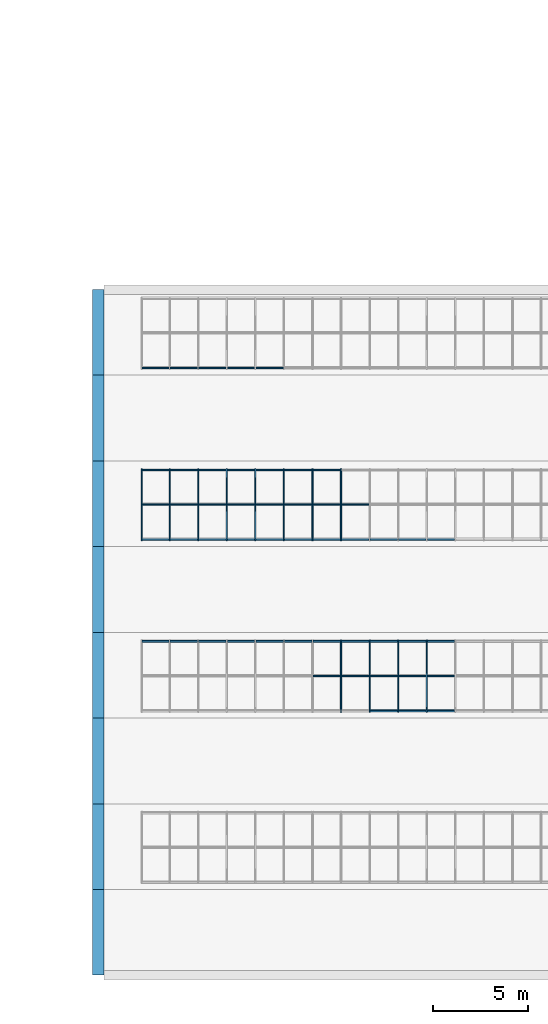
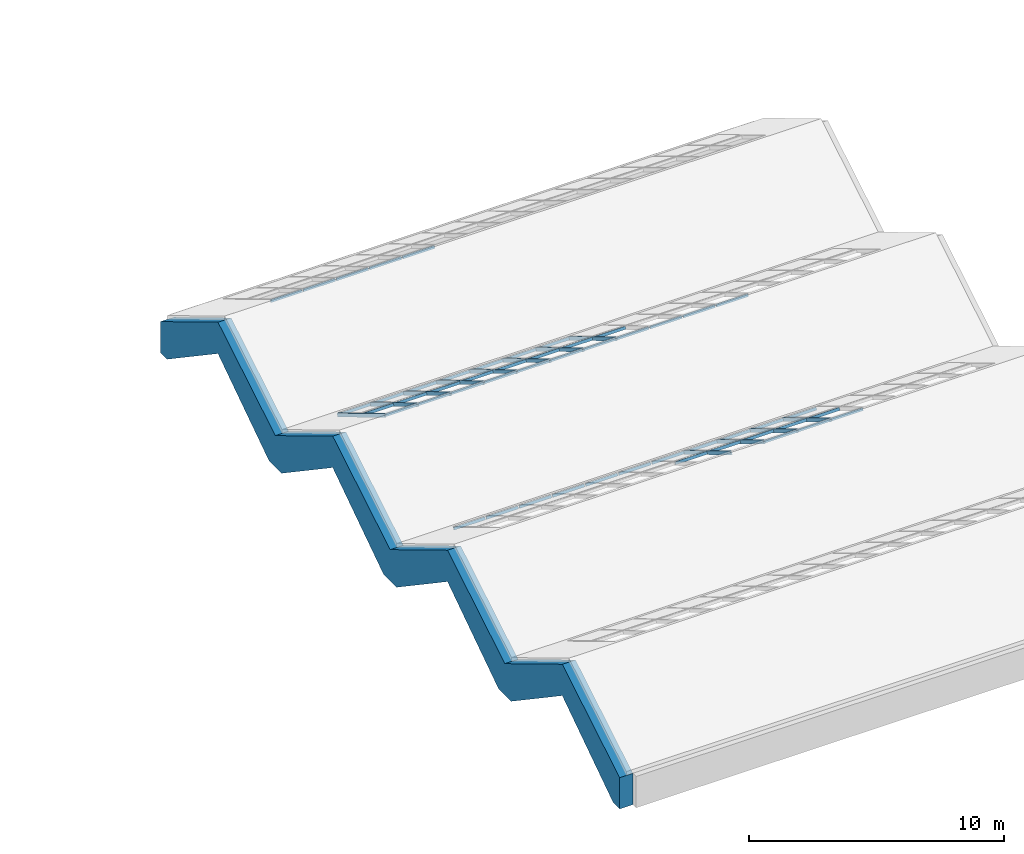
# One storey, part 3 of 29: 62 members, 1 beam, 3 elements without a shape of their own.
"""IFC4 building model written with IfcOpenShell, lengths in metres."""

from ifc_helpers import new_model, si_unit, direction, frame, origin, origin_2d, place, context, subcontext, project, spatial, polyline, rectangle, outline, extrude, material, material_profile, profile_set, type_object, element, aggregate, save


model = new_model("IFC4")

# Units and contexts
model_context = context("Model", 3, precision=1e-05, world=origin(), true_north=direction((0.0, 1.0)))
body_context = subcontext(model_context, "Body", "Model", "MODEL_VIEW")
ifc_project = project(units=[si_unit("LENGTHUNIT", "METRE"), si_unit("AREAUNIT", "SQUARE_METRE"), si_unit("VOLUMEUNIT", "CUBIC_METRE"), si_unit("PLANEANGLEUNIT", "RADIAN"), si_unit("MASSUNIT", "GRAM", prefix="KILO")], contexts=[model_context])

# Site, building, storey
site_placement = place(None, origin())
site = spatial("IfcSite", under=ifc_project, at=site_placement, CompositionType="ELEMENT")
building_placement = place(site_placement, origin())
building = spatial("IfcBuilding", under=site, at=building_placement, Name="Merrow Basin Faculty of Sciences", CompositionType="ELEMENT")
storey_placement = place(building_placement, frame((0.0, 0.0, 22.5)))
storey = spatial("IfcBuildingStorey", under=building, at=storey_placement, Name="L05", CompositionType="ELEMENT", Elevation=22.5)

# Curtain wall, members
ifc_material_1 = material(Name="Aluminium alloy 6063", Category="aluminium")
curtain_wall_type = type_object("IfcCurtainWallType", Name="Inclined curtain wall 160", PredefinedType="NOTDEFINED", material=ifc_material_1)
curtain_wall_1_placement = place(storey_placement, origin())
curtain_wall_1 = element("IfcCurtainWall", 1, at=curtain_wall_1_placement, inside=storey, type_object=curtain_wall_type, Name="North-light glazing 3", PredefinedType="NOTDEFINED")
ifc_material_2 = material(Name="Aluminium alloy 6063", Category="aluminium")
ifc_material_profile_1 = material_profile(ifc_material_2, rectangle(XDim=0.06005859375, YDim=0.159912109375, at=origin_2d()))
ifc_profile_set_1 = profile_set([ifc_material_profile_1], Name="Aluminium alloy 6063")
member_type_1 = type_object("IfcMemberType", Name="Aluminium slot mullion 60x160", PredefinedType="MULLION", material=ifc_profile_set_1)
member_1_placement = place(storey_placement, frame((57.75, 13.85888671875, 2.39111328125), z_axis=(0.0, 0.857482941352, -0.514512395662), x_axis=(-1.0, 0.0, 0.0)))
member_1 = element("IfcMember", 2, at=member_1_placement, type_object=member_type_1, Name="CW7 mullion 8", PredefinedType="MULLION", context=body_context, shape_type="SweptSolid", body=[
    extrude(rectangle(XDim=0.06005859375, YDim=0.159912109375, at=origin_2d()), origin(), (0.0, 0.0, 1.0), 4.315185546875),
])
member_2_placement = place(storey_placement, frame((59.25, 13.85888671875, 2.39111328125), z_axis=(0.0, 0.857482941352, -0.514512395662), x_axis=(-1.0, 0.0, 0.0)))
member_2 = element("IfcMember", 3, at=member_2_placement, type_object=member_type_1, Name="CW7 mullion 9", PredefinedType="MULLION", context=body_context, shape_type="SweptSolid", body=[
    extrude(rectangle(XDim=0.06005859375, YDim=0.159912109375, at=origin_2d()), origin(), (0.0, 0.0, 1.0), 4.315185546875),
])
member_3_placement = place(storey_placement, frame((60.75, 13.85888671875, 2.39111328125), z_axis=(0.0, 0.857482941352, -0.514512395662), x_axis=(-1.0, 0.0, 0.0)))
member_3 = element("IfcMember", 4, at=member_3_placement, type_object=member_type_1, Name="CW7 mullion 10", PredefinedType="MULLION", context=body_context, shape_type="SweptSolid", body=[
    extrude(rectangle(XDim=0.06005859375, YDim=0.159912109375, at=origin_2d()), origin(), (0.0, 0.0, 1.0), 4.315185546875),
])
member_4_placement = place(storey_placement, frame((62.25, 13.85888671875, 2.39111328125), z_axis=(0.0, 0.857482941352, -0.514512395662), x_axis=(-1.0, 0.0, 0.0)))
member_4 = element("IfcMember", 5, at=member_4_placement, type_object=member_type_1, Name="CW7 mullion 11", PredefinedType="MULLION", context=body_context, shape_type="SweptSolid", body=[
    extrude(rectangle(XDim=0.06005859375, YDim=0.159912109375, at=origin_2d()), origin(), (0.0, 0.0, 1.0), 4.315185546875),
])

curtain_wall_2_placement = place(storey_placement, origin())
curtain_wall_2 = element("IfcCurtainWall", 6, at=curtain_wall_2_placement, inside=storey, type_object=curtain_wall_type, Name="North-light glazing 5", PredefinedType="NOTDEFINED")
member_5_placement = place(storey_placement, frame((47.280029296875, 22.85888671875, 2.39111328125), z_axis=(0.0, 0.857482941352, -0.514512395662), x_axis=(-1.0, 0.0, 0.0)))
member_5 = element("IfcMember", 7, at=member_5_placement, type_object=member_type_1, Name="CW7 mullion 1", PredefinedType="MULLION", context=body_context, shape_type="SweptSolid", body=[
    extrude(rectangle(XDim=0.06005859375, YDim=0.159912109375, at=origin_2d()), origin(), (0.0, 0.0, 1.0), 4.315185546875),
])
member_6_placement = place(storey_placement, frame((48.75, 22.85888671875, 2.39111328125), z_axis=(0.0, 0.857482941352, -0.514512395662), x_axis=(-1.0, 0.0, 0.0)))
member_6 = element("IfcMember", 8, at=member_6_placement, type_object=member_type_1, Name="CW7 mullion 2", PredefinedType="MULLION", context=body_context, shape_type="SweptSolid", body=[
    extrude(rectangle(XDim=0.06005859375, YDim=0.159912109375, at=origin_2d()), origin(), (0.0, 0.0, 1.0), 4.315185546875),
])
member_7_placement = place(storey_placement, frame((50.25, 22.85888671875, 2.39111328125), z_axis=(0.0, 0.857482941352, -0.514512395662), x_axis=(-1.0, 0.0, 0.0)))
member_7 = element("IfcMember", 9, at=member_7_placement, type_object=member_type_1, Name="CW7 mullion 3", PredefinedType="MULLION", context=body_context, shape_type="SweptSolid", body=[
    extrude(rectangle(XDim=0.06005859375, YDim=0.159912109375, at=origin_2d()), origin(), (0.0, 0.0, 1.0), 4.315185546875),
])
member_8_placement = place(storey_placement, frame((51.75, 22.85888671875, 2.39111328125), z_axis=(0.0, 0.857482941352, -0.514512395662), x_axis=(-1.0, 0.0, 0.0)))
member_8 = element("IfcMember", 10, at=member_8_placement, type_object=member_type_1, Name="CW7 mullion 4", PredefinedType="MULLION", context=body_context, shape_type="SweptSolid", body=[
    extrude(rectangle(XDim=0.06005859375, YDim=0.159912109375, at=origin_2d()), origin(), (0.0, 0.0, 1.0), 4.315185546875),
])
member_9_placement = place(storey_placement, frame((53.25, 22.85888671875, 2.39111328125), z_axis=(0.0, 0.857482941352, -0.514512395662), x_axis=(-1.0, 0.0, 0.0)))
member_9 = element("IfcMember", 11, at=member_9_placement, type_object=member_type_1, Name="CW7 mullion 5", PredefinedType="MULLION", context=body_context, shape_type="SweptSolid", body=[
    extrude(rectangle(XDim=0.06005859375, YDim=0.159912109375, at=origin_2d()), origin(), (0.0, 0.0, 1.0), 4.315185546875),
])
member_10_placement = place(storey_placement, frame((54.75, 22.85888671875, 2.39111328125), z_axis=(0.0, 0.857482941352, -0.514512395662), x_axis=(-1.0, 0.0, 0.0)))
member_10 = element("IfcMember", 12, at=member_10_placement, type_object=member_type_1, Name="CW7 mullion 6", PredefinedType="MULLION", context=body_context, shape_type="SweptSolid", body=[
    extrude(rectangle(XDim=0.06005859375, YDim=0.159912109375, at=origin_2d()), origin(), (0.0, 0.0, 1.0), 4.315185546875),
])
member_11_placement = place(storey_placement, frame((56.25, 22.85888671875, 2.39111328125), z_axis=(0.0, 0.857482941352, -0.514512395662), x_axis=(-1.0, 0.0, 0.0)))
member_11 = element("IfcMember", 13, at=member_11_placement, type_object=member_type_1, Name="CW7 mullion 7", PredefinedType="MULLION", context=body_context, shape_type="SweptSolid", body=[
    extrude(rectangle(XDim=0.06005859375, YDim=0.159912109375, at=origin_2d()), origin(), (0.0, 0.0, 1.0), 4.315185546875),
])
member_12_placement = place(storey_placement, frame((57.75, 22.85888671875, 2.39111328125), z_axis=(0.0, 0.857482941352, -0.514512395662), x_axis=(-1.0, 0.0, 0.0)))
member_12 = element("IfcMember", 14, at=member_12_placement, type_object=member_type_1, Name="CW7 mullion 8", PredefinedType="MULLION", context=body_context, shape_type="SweptSolid", body=[
    extrude(rectangle(XDim=0.06005859375, YDim=0.159912109375, at=origin_2d()), origin(), (0.0, 0.0, 1.0), 4.315185546875),
])

# Member
ifc_material_3 = material(Name="Aluminium alloy 6063", Category="aluminium")
ifc_material_profile_2 = material_profile(ifc_material_3, rectangle(XDim=0.06005859375, YDim=0.1201171875, at=origin_2d()))
ifc_profile_set_2 = profile_set([ifc_material_profile_2], Name="Aluminium alloy 6063")
member_type_2 = type_object("IfcMemberType", Name="Aluminium slot transom 60x120", PredefinedType="USERDEFINED", material=ifc_profile_set_2)
member_13_placement = place(storey_placement, frame((47.31005859375, 17.532958984375, 0.18701171875), z_axis=(1.0, 0.0, 0.0), x_axis=(0.0, 0.857492925713, -0.514495755426)))
member_13 = element("IfcMember", 15, at=member_13_placement, type_object=member_type_2, Name="CW7 transom 1.3", ObjectType="TRANSOM", PredefinedType="USERDEFINED", context=body_context, shape_type="SweptSolid", body=[
    extrude(rectangle(XDim=0.06005859375, YDim=0.1201171875, at=origin_2d()), origin(), (0.0, 0.0, 1.0), 1.409912109375),
])

member_14_placement = place(storey_placement, frame((48.780029296875, 17.532958984375, 0.18701171875), z_axis=(1.0, 0.0, 0.0), x_axis=(0.0, 0.857492925713, -0.514495755426)))
member_14 = element("IfcMember", 16, at=member_14_placement, type_object=member_type_2, Name="CW7 transom 2.3", ObjectType="TRANSOM", PredefinedType="USERDEFINED", context=body_context, shape_type="SweptSolid", body=[
    extrude(rectangle(XDim=0.06005859375, YDim=0.1201171875, at=origin_2d()), origin(), (0.0, 0.0, 1.0), 1.43994140625),
])

member_15_placement = place(storey_placement, frame((50.280029296875, 17.532958984375, 0.18701171875), z_axis=(1.0, 0.0, 0.0), x_axis=(0.0, 0.857492925713, -0.514495755426)))
member_15 = element("IfcMember", 17, at=member_15_placement, type_object=member_type_2, Name="CW7 transom 3.3", ObjectType="TRANSOM", PredefinedType="USERDEFINED", context=body_context, shape_type="SweptSolid", body=[
    extrude(rectangle(XDim=0.06005859375, YDim=0.1201171875, at=origin_2d()), origin(), (0.0, 0.0, 1.0), 1.43994140625),
])

member_16_placement = place(storey_placement, frame((51.780029296875, 17.532958984375, 0.18701171875), z_axis=(1.0, 0.0, 0.0), x_axis=(0.0, 0.857492925713, -0.514495755426)))
member_16 = element("IfcMember", 18, at=member_16_placement, type_object=member_type_2, Name="CW7 transom 4.3", ObjectType="TRANSOM", PredefinedType="USERDEFINED", context=body_context, shape_type="SweptSolid", body=[
    extrude(rectangle(XDim=0.06005859375, YDim=0.1201171875, at=origin_2d()), origin(), (0.0, 0.0, 1.0), 1.43994140625),
])

member_17_placement = place(storey_placement, frame((53.280029296875, 17.532958984375, 0.18701171875), z_axis=(1.0, 0.0, 0.0), x_axis=(0.0, 0.857492925713, -0.514495755426)))
member_17 = element("IfcMember", 19, at=member_17_placement, type_object=member_type_2, Name="CW7 transom 5.3", ObjectType="TRANSOM", PredefinedType="USERDEFINED", context=body_context, shape_type="SweptSolid", body=[
    extrude(rectangle(XDim=0.06005859375, YDim=0.1201171875, at=origin_2d()), origin(), (0.0, 0.0, 1.0), 1.43994140625),
])

member_18_placement = place(storey_placement, frame((54.780029296875, 17.532958984375, 0.18701171875), z_axis=(1.0, 0.0, 0.0), x_axis=(0.0, 0.857492925713, -0.514495755426)))
member_18 = element("IfcMember", 20, at=member_18_placement, type_object=member_type_2, Name="CW7 transom 6.3", ObjectType="TRANSOM", PredefinedType="USERDEFINED", context=body_context, shape_type="SweptSolid", body=[
    extrude(rectangle(XDim=0.06005859375, YDim=0.1201171875, at=origin_2d()), origin(), (0.0, 0.0, 1.0), 1.43994140625),
])

member_19_placement = place(storey_placement, frame((56.280029296875, 15.708984375, 1.281005859375), z_axis=(1.0, 0.0, 0.0), x_axis=(0.0, 0.857492925713, -0.514495755426)))
member_19 = element("IfcMember", 21, at=member_19_placement, type_object=member_type_2, Name="CW7 transom 7.2", ObjectType="TRANSOM", PredefinedType="USERDEFINED", context=body_context, shape_type="SweptSolid", body=[
    extrude(rectangle(XDim=0.06005859375, YDim=0.1201171875, at=origin_2d()), origin(), (0.0, 0.0, 1.0), 1.43994140625),
])

member_20_placement = place(storey_placement, frame((56.280029296875, 17.532958984375, 0.18701171875), z_axis=(1.0, 0.0, 0.0), x_axis=(0.0, 0.857492925713, -0.514495755426)))
member_20 = element("IfcMember", 22, at=member_20_placement, type_object=member_type_2, Name="CW7 transom 7.3", ObjectType="TRANSOM", PredefinedType="USERDEFINED", context=body_context, shape_type="SweptSolid", body=[
    extrude(rectangle(XDim=0.06005859375, YDim=0.1201171875, at=origin_2d()), origin(), (0.0, 0.0, 1.0), 1.43994140625),
])

member_21_placement = place(storey_placement, frame((57.780029296875, 15.708984375, 1.281005859375), z_axis=(1.0, 0.0, 0.0), x_axis=(0.0, 0.857492925713, -0.514495755426)))
member_21 = element("IfcMember", 23, at=member_21_placement, type_object=member_type_2, Name="CW7 transom 8.2", ObjectType="TRANSOM", PredefinedType="USERDEFINED", context=body_context, shape_type="SweptSolid", body=[
    extrude(rectangle(XDim=0.06005859375, YDim=0.1201171875, at=origin_2d()), origin(), (0.0, 0.0, 1.0), 1.43994140625),
])

member_22_placement = place(storey_placement, frame((57.780029296875, 17.532958984375, 0.18701171875), z_axis=(1.0, 0.0, 0.0), x_axis=(0.0, 0.857492925713, -0.514495755426)))
member_22 = element("IfcMember", 24, at=member_22_placement, type_object=member_type_2, Name="CW7 transom 8.3", ObjectType="TRANSOM", PredefinedType="USERDEFINED", context=body_context, shape_type="SweptSolid", body=[
    extrude(rectangle(XDim=0.06005859375, YDim=0.1201171875, at=origin_2d()), origin(), (0.0, 0.0, 1.0), 1.43994140625),
])

member_23_placement = place(storey_placement, frame((59.280029296875, 13.885009765625, 2.3759765625), z_axis=(1.0, 0.0, 0.0), x_axis=(0.0, 0.857492925713, -0.514495755426)))
member_23 = element("IfcMember", 25, at=member_23_placement, type_object=member_type_2, Name="CW7 transom 9.1", ObjectType="TRANSOM", PredefinedType="USERDEFINED", context=body_context, shape_type="SweptSolid", body=[
    extrude(rectangle(XDim=0.06005859375, YDim=0.1201171875, at=origin_2d()), origin(), (0.0, 0.0, 1.0), 1.43994140625),
])

member_24_placement = place(storey_placement, frame((59.280029296875, 15.708984375, 1.281005859375), z_axis=(1.0, 0.0, 0.0), x_axis=(0.0, 0.857492925713, -0.514495755426)))
member_24 = element("IfcMember", 26, at=member_24_placement, type_object=member_type_2, Name="CW7 transom 9.2", ObjectType="TRANSOM", PredefinedType="USERDEFINED", context=body_context, shape_type="SweptSolid", body=[
    extrude(rectangle(XDim=0.06005859375, YDim=0.1201171875, at=origin_2d()), origin(), (0.0, 0.0, 1.0), 1.43994140625),
])

member_25_placement = place(storey_placement, frame((59.280029296875, 17.532958984375, 0.18701171875), z_axis=(1.0, 0.0, 0.0), x_axis=(0.0, 0.857492925713, -0.514495755426)))
member_25 = element("IfcMember", 27, at=member_25_placement, type_object=member_type_2, Name="CW7 transom 9.3", ObjectType="TRANSOM", PredefinedType="USERDEFINED", context=body_context, shape_type="SweptSolid", body=[
    extrude(rectangle(XDim=0.06005859375, YDim=0.1201171875, at=origin_2d()), origin(), (0.0, 0.0, 1.0), 1.43994140625),
])

member_26_placement = place(storey_placement, frame((60.780029296875, 13.885009765625, 2.3759765625), z_axis=(1.0, 0.0, 0.0), x_axis=(0.0, 0.857492925713, -0.514495755426)))
member_26 = element("IfcMember", 28, at=member_26_placement, type_object=member_type_2, Name="CW7 transom 10.1", ObjectType="TRANSOM", PredefinedType="USERDEFINED", context=body_context, shape_type="SweptSolid", body=[
    extrude(rectangle(XDim=0.06005859375, YDim=0.1201171875, at=origin_2d()), origin(), (0.0, 0.0, 1.0), 1.43994140625),
])

member_27_placement = place(storey_placement, frame((60.780029296875, 15.708984375, 1.281005859375), z_axis=(1.0, 0.0, 0.0), x_axis=(0.0, 0.857492925713, -0.514495755426)))
member_27 = element("IfcMember", 29, at=member_27_placement, type_object=member_type_2, Name="CW7 transom 10.2", ObjectType="TRANSOM", PredefinedType="USERDEFINED", context=body_context, shape_type="SweptSolid", body=[
    extrude(rectangle(XDim=0.06005859375, YDim=0.1201171875, at=origin_2d()), origin(), (0.0, 0.0, 1.0), 1.43994140625),
])

member_28_placement = place(storey_placement, frame((60.780029296875, 17.532958984375, 0.18701171875), z_axis=(1.0, 0.0, 0.0), x_axis=(0.0, 0.857492925713, -0.514495755426)))
member_28 = element("IfcMember", 30, at=member_28_placement, type_object=member_type_2, Name="CW7 transom 10.3", ObjectType="TRANSOM", PredefinedType="USERDEFINED", context=body_context, shape_type="SweptSolid", body=[
    extrude(rectangle(XDim=0.06005859375, YDim=0.1201171875, at=origin_2d()), origin(), (0.0, 0.0, 1.0), 1.43994140625),
])

member_29_placement = place(storey_placement, frame((62.280029296875, 13.885009765625, 2.3759765625), z_axis=(1.0, 0.0, 0.0), x_axis=(0.0, 0.857492925713, -0.514495755426)))
member_29 = element("IfcMember", 31, at=member_29_placement, type_object=member_type_2, Name="CW7 transom 11.1", ObjectType="TRANSOM", PredefinedType="USERDEFINED", context=body_context, shape_type="SweptSolid", body=[
    extrude(rectangle(XDim=0.06005859375, YDim=0.1201171875, at=origin_2d()), origin(), (0.0, 0.0, 1.0), 1.43994140625),
])

member_30_placement = place(storey_placement, frame((62.280029296875, 15.708984375, 1.281005859375), z_axis=(1.0, 0.0, 0.0), x_axis=(0.0, 0.857492925713, -0.514495755426)))
member_30 = element("IfcMember", 32, at=member_30_placement, type_object=member_type_2, Name="CW7 transom 11.2", ObjectType="TRANSOM", PredefinedType="USERDEFINED", context=body_context, shape_type="SweptSolid", body=[
    extrude(rectangle(XDim=0.06005859375, YDim=0.1201171875, at=origin_2d()), origin(), (0.0, 0.0, 1.0), 1.43994140625),
])

member_31_placement = place(storey_placement, frame((62.280029296875, 17.532958984375, 0.18701171875), z_axis=(1.0, 0.0, 0.0), x_axis=(0.0, 0.857492925713, -0.514495755426)))
member_31 = element("IfcMember", 33, at=member_31_placement, type_object=member_type_2, Name="CW7 transom 11.3", ObjectType="TRANSOM", PredefinedType="USERDEFINED", context=body_context, shape_type="SweptSolid", body=[
    extrude(rectangle(XDim=0.06005859375, YDim=0.1201171875, at=origin_2d()), origin(), (0.0, 0.0, 1.0), 1.43994140625),
])

aggregate(curtain_wall_1, [member_1, member_2, member_3, member_4, member_13, member_14, member_15, member_16, member_17, member_18, member_19, member_20, member_21, member_22, member_23, member_24, member_25, member_26, member_27, member_28, member_29, member_30, member_31])

member_32_placement = place(storey_placement, frame((47.31005859375, 22.885009765625, 2.3759765625), z_axis=(1.0, 0.0, 0.0), x_axis=(0.0, 0.857492925713, -0.514495755426)))
member_32 = element("IfcMember", 34, at=member_32_placement, type_object=member_type_2, Name="CW7 transom 1.1", ObjectType="TRANSOM", PredefinedType="USERDEFINED", context=body_context, shape_type="SweptSolid", body=[
    extrude(rectangle(XDim=0.06005859375, YDim=0.1201171875, at=origin_2d()), origin(), (0.0, 0.0, 1.0), 1.409912109375),
])

member_33_placement = place(storey_placement, frame((47.31005859375, 24.708984375, 1.281005859375), z_axis=(1.0, 0.0, 0.0), x_axis=(0.0, 0.857492925713, -0.514495755426)))
member_33 = element("IfcMember", 35, at=member_33_placement, type_object=member_type_2, Name="CW7 transom 1.2", ObjectType="TRANSOM", PredefinedType="USERDEFINED", context=body_context, shape_type="SweptSolid", body=[
    extrude(rectangle(XDim=0.06005859375, YDim=0.1201171875, at=origin_2d()), origin(), (0.0, 0.0, 1.0), 1.409912109375),
])

member_34_placement = place(storey_placement, frame((47.31005859375, 26.532958984375, 0.18701171875), z_axis=(1.0, 0.0, 0.0), x_axis=(0.0, 0.857492925713, -0.514495755426)))
member_34 = element("IfcMember", 36, at=member_34_placement, type_object=member_type_2, Name="CW7 transom 1.3", ObjectType="TRANSOM", PredefinedType="USERDEFINED", context=body_context, shape_type="SweptSolid", body=[
    extrude(rectangle(XDim=0.06005859375, YDim=0.1201171875, at=origin_2d()), origin(), (0.0, 0.0, 1.0), 1.409912109375),
])

member_35_placement = place(storey_placement, frame((48.780029296875, 22.885009765625, 2.3759765625), z_axis=(1.0, 0.0, 0.0), x_axis=(0.0, 0.857492925713, -0.514495755426)))
member_35 = element("IfcMember", 37, at=member_35_placement, type_object=member_type_2, Name="CW7 transom 2.1", ObjectType="TRANSOM", PredefinedType="USERDEFINED", context=body_context, shape_type="SweptSolid", body=[
    extrude(rectangle(XDim=0.06005859375, YDim=0.1201171875, at=origin_2d()), origin(), (0.0, 0.0, 1.0), 1.43994140625),
])

member_36_placement = place(storey_placement, frame((48.780029296875, 24.708984375, 1.281005859375), z_axis=(1.0, 0.0, 0.0), x_axis=(0.0, 0.857492925713, -0.514495755426)))
member_36 = element("IfcMember", 38, at=member_36_placement, type_object=member_type_2, Name="CW7 transom 2.2", ObjectType="TRANSOM", PredefinedType="USERDEFINED", context=body_context, shape_type="SweptSolid", body=[
    extrude(rectangle(XDim=0.06005859375, YDim=0.1201171875, at=origin_2d()), origin(), (0.0, 0.0, 1.0), 1.43994140625),
])

member_37_placement = place(storey_placement, frame((48.780029296875, 26.532958984375, 0.18701171875), z_axis=(1.0, 0.0, 0.0), x_axis=(0.0, 0.857492925713, -0.514495755426)))
member_37 = element("IfcMember", 39, at=member_37_placement, type_object=member_type_2, Name="CW7 transom 2.3", ObjectType="TRANSOM", PredefinedType="USERDEFINED", context=body_context, shape_type="SweptSolid", body=[
    extrude(rectangle(XDim=0.06005859375, YDim=0.1201171875, at=origin_2d()), origin(), (0.0, 0.0, 1.0), 1.43994140625),
])

member_38_placement = place(storey_placement, frame((50.280029296875, 22.885009765625, 2.3759765625), z_axis=(1.0, 0.0, 0.0), x_axis=(0.0, 0.857492925713, -0.514495755426)))
member_38 = element("IfcMember", 40, at=member_38_placement, type_object=member_type_2, Name="CW7 transom 3.1", ObjectType="TRANSOM", PredefinedType="USERDEFINED", context=body_context, shape_type="SweptSolid", body=[
    extrude(rectangle(XDim=0.06005859375, YDim=0.1201171875, at=origin_2d()), origin(), (0.0, 0.0, 1.0), 1.43994140625),
])

member_39_placement = place(storey_placement, frame((50.280029296875, 24.708984375, 1.281005859375), z_axis=(1.0, 0.0, 0.0), x_axis=(0.0, 0.857492925713, -0.514495755426)))
member_39 = element("IfcMember", 41, at=member_39_placement, type_object=member_type_2, Name="CW7 transom 3.2", ObjectType="TRANSOM", PredefinedType="USERDEFINED", context=body_context, shape_type="SweptSolid", body=[
    extrude(rectangle(XDim=0.06005859375, YDim=0.1201171875, at=origin_2d()), origin(), (0.0, 0.0, 1.0), 1.43994140625),
])

member_40_placement = place(storey_placement, frame((50.280029296875, 26.532958984375, 0.18701171875), z_axis=(1.0, 0.0, 0.0), x_axis=(0.0, 0.857492925713, -0.514495755426)))
member_40 = element("IfcMember", 42, at=member_40_placement, type_object=member_type_2, Name="CW7 transom 3.3", ObjectType="TRANSOM", PredefinedType="USERDEFINED", context=body_context, shape_type="SweptSolid", body=[
    extrude(rectangle(XDim=0.06005859375, YDim=0.1201171875, at=origin_2d()), origin(), (0.0, 0.0, 1.0), 1.43994140625),
])

member_41_placement = place(storey_placement, frame((51.780029296875, 22.885009765625, 2.3759765625), z_axis=(1.0, 0.0, 0.0), x_axis=(0.0, 0.857492925713, -0.514495755426)))
member_41 = element("IfcMember", 43, at=member_41_placement, type_object=member_type_2, Name="CW7 transom 4.1", ObjectType="TRANSOM", PredefinedType="USERDEFINED", context=body_context, shape_type="SweptSolid", body=[
    extrude(rectangle(XDim=0.06005859375, YDim=0.1201171875, at=origin_2d()), origin(), (0.0, 0.0, 1.0), 1.43994140625),
])

member_42_placement = place(storey_placement, frame((51.780029296875, 24.708984375, 1.281005859375), z_axis=(1.0, 0.0, 0.0), x_axis=(0.0, 0.857492925713, -0.514495755426)))
member_42 = element("IfcMember", 44, at=member_42_placement, type_object=member_type_2, Name="CW7 transom 4.2", ObjectType="TRANSOM", PredefinedType="USERDEFINED", context=body_context, shape_type="SweptSolid", body=[
    extrude(rectangle(XDim=0.06005859375, YDim=0.1201171875, at=origin_2d()), origin(), (0.0, 0.0, 1.0), 1.43994140625),
])

member_43_placement = place(storey_placement, frame((51.780029296875, 26.532958984375, 0.18701171875), z_axis=(1.0, 0.0, 0.0), x_axis=(0.0, 0.857492925713, -0.514495755426)))
member_43 = element("IfcMember", 45, at=member_43_placement, type_object=member_type_2, Name="CW7 transom 4.3", ObjectType="TRANSOM", PredefinedType="USERDEFINED", context=body_context, shape_type="SweptSolid", body=[
    extrude(rectangle(XDim=0.06005859375, YDim=0.1201171875, at=origin_2d()), origin(), (0.0, 0.0, 1.0), 1.43994140625),
])

member_44_placement = place(storey_placement, frame((53.280029296875, 22.885009765625, 2.3759765625), z_axis=(1.0, 0.0, 0.0), x_axis=(0.0, 0.857492925713, -0.514495755426)))
member_44 = element("IfcMember", 46, at=member_44_placement, type_object=member_type_2, Name="CW7 transom 5.1", ObjectType="TRANSOM", PredefinedType="USERDEFINED", context=body_context, shape_type="SweptSolid", body=[
    extrude(rectangle(XDim=0.06005859375, YDim=0.1201171875, at=origin_2d()), origin(), (0.0, 0.0, 1.0), 1.43994140625),
])

member_45_placement = place(storey_placement, frame((53.280029296875, 24.708984375, 1.281005859375), z_axis=(1.0, 0.0, 0.0), x_axis=(0.0, 0.857492925713, -0.514495755426)))
member_45 = element("IfcMember", 47, at=member_45_placement, type_object=member_type_2, Name="CW7 transom 5.2", ObjectType="TRANSOM", PredefinedType="USERDEFINED", context=body_context, shape_type="SweptSolid", body=[
    extrude(rectangle(XDim=0.06005859375, YDim=0.1201171875, at=origin_2d()), origin(), (0.0, 0.0, 1.0), 1.43994140625),
])

member_46_placement = place(storey_placement, frame((53.280029296875, 26.532958984375, 0.18701171875), z_axis=(1.0, 0.0, 0.0), x_axis=(0.0, 0.857492925713, -0.514495755426)))
member_46 = element("IfcMember", 48, at=member_46_placement, type_object=member_type_2, Name="CW7 transom 5.3", ObjectType="TRANSOM", PredefinedType="USERDEFINED", context=body_context, shape_type="SweptSolid", body=[
    extrude(rectangle(XDim=0.06005859375, YDim=0.1201171875, at=origin_2d()), origin(), (0.0, 0.0, 1.0), 1.43994140625),
])

member_47_placement = place(storey_placement, frame((54.780029296875, 22.885009765625, 2.3759765625), z_axis=(1.0, 0.0, 0.0), x_axis=(0.0, 0.857492925713, -0.514495755426)))
member_47 = element("IfcMember", 49, at=member_47_placement, type_object=member_type_2, Name="CW7 transom 6.1", ObjectType="TRANSOM", PredefinedType="USERDEFINED", context=body_context, shape_type="SweptSolid", body=[
    extrude(rectangle(XDim=0.06005859375, YDim=0.1201171875, at=origin_2d()), origin(), (0.0, 0.0, 1.0), 1.43994140625),
])

member_48_placement = place(storey_placement, frame((54.780029296875, 24.708984375, 1.281005859375), z_axis=(1.0, 0.0, 0.0), x_axis=(0.0, 0.857492925713, -0.514495755426)))
member_48 = element("IfcMember", 50, at=member_48_placement, type_object=member_type_2, Name="CW7 transom 6.2", ObjectType="TRANSOM", PredefinedType="USERDEFINED", context=body_context, shape_type="SweptSolid", body=[
    extrude(rectangle(XDim=0.06005859375, YDim=0.1201171875, at=origin_2d()), origin(), (0.0, 0.0, 1.0), 1.43994140625),
])

member_49_placement = place(storey_placement, frame((54.780029296875, 26.532958984375, 0.18701171875), z_axis=(1.0, 0.0, 0.0), x_axis=(0.0, 0.857492925713, -0.514495755426)))
member_49 = element("IfcMember", 51, at=member_49_placement, type_object=member_type_2, Name="CW7 transom 6.3", ObjectType="TRANSOM", PredefinedType="USERDEFINED", context=body_context, shape_type="SweptSolid", body=[
    extrude(rectangle(XDim=0.06005859375, YDim=0.1201171875, at=origin_2d()), origin(), (0.0, 0.0, 1.0), 1.43994140625),
])

member_50_placement = place(storey_placement, frame((56.280029296875, 22.885009765625, 2.3759765625), z_axis=(1.0, 0.0, 0.0), x_axis=(0.0, 0.857492925713, -0.514495755426)))
member_50 = element("IfcMember", 52, at=member_50_placement, type_object=member_type_2, Name="CW7 transom 7.1", ObjectType="TRANSOM", PredefinedType="USERDEFINED", context=body_context, shape_type="SweptSolid", body=[
    extrude(rectangle(XDim=0.06005859375, YDim=0.1201171875, at=origin_2d()), origin(), (0.0, 0.0, 1.0), 1.43994140625),
])

member_51_placement = place(storey_placement, frame((56.280029296875, 24.708984375, 1.281005859375), z_axis=(1.0, 0.0, 0.0), x_axis=(0.0, 0.857492925713, -0.514495755426)))
member_51 = element("IfcMember", 53, at=member_51_placement, type_object=member_type_2, Name="CW7 transom 7.2", ObjectType="TRANSOM", PredefinedType="USERDEFINED", context=body_context, shape_type="SweptSolid", body=[
    extrude(rectangle(XDim=0.06005859375, YDim=0.1201171875, at=origin_2d()), origin(), (0.0, 0.0, 1.0), 1.43994140625),
])

member_52_placement = place(storey_placement, frame((56.280029296875, 26.532958984375, 0.18701171875), z_axis=(1.0, 0.0, 0.0), x_axis=(0.0, 0.857492925713, -0.514495755426)))
member_52 = element("IfcMember", 54, at=member_52_placement, type_object=member_type_2, Name="CW7 transom 7.3", ObjectType="TRANSOM", PredefinedType="USERDEFINED", context=body_context, shape_type="SweptSolid", body=[
    extrude(rectangle(XDim=0.06005859375, YDim=0.1201171875, at=origin_2d()), origin(), (0.0, 0.0, 1.0), 1.43994140625),
])

member_53_placement = place(storey_placement, frame((57.780029296875, 22.885009765625, 2.3759765625), z_axis=(1.0, 0.0, 0.0), x_axis=(0.0, 0.857492925713, -0.514495755426)))
member_53 = element("IfcMember", 55, at=member_53_placement, type_object=member_type_2, Name="CW7 transom 8.1", ObjectType="TRANSOM", PredefinedType="USERDEFINED", context=body_context, shape_type="SweptSolid", body=[
    extrude(rectangle(XDim=0.06005859375, YDim=0.1201171875, at=origin_2d()), origin(), (0.0, 0.0, 1.0), 1.43994140625),
])

member_54_placement = place(storey_placement, frame((57.780029296875, 24.708984375, 1.281005859375), z_axis=(1.0, 0.0, 0.0), x_axis=(0.0, 0.857492925713, -0.514495755426)))
member_54 = element("IfcMember", 56, at=member_54_placement, type_object=member_type_2, Name="CW7 transom 8.2", ObjectType="TRANSOM", PredefinedType="USERDEFINED", context=body_context, shape_type="SweptSolid", body=[
    extrude(rectangle(XDim=0.06005859375, YDim=0.1201171875, at=origin_2d()), origin(), (0.0, 0.0, 1.0), 1.43994140625),
])

member_55_placement = place(storey_placement, frame((59.280029296875, 22.885009765625, 2.3759765625), z_axis=(1.0, 0.0, 0.0), x_axis=(0.0, 0.857492925713, -0.514495755426)))
member_55 = element("IfcMember", 57, at=member_55_placement, type_object=member_type_2, Name="CW7 transom 9.1", ObjectType="TRANSOM", PredefinedType="USERDEFINED", context=body_context, shape_type="SweptSolid", body=[
    extrude(rectangle(XDim=0.06005859375, YDim=0.1201171875, at=origin_2d()), origin(), (0.0, 0.0, 1.0), 1.43994140625),
])

member_56_placement = place(storey_placement, frame((60.780029296875, 22.885009765625, 2.3759765625), z_axis=(1.0, 0.0, 0.0), x_axis=(0.0, 0.857492925713, -0.514495755426)))
member_56 = element("IfcMember", 58, at=member_56_placement, type_object=member_type_2, Name="CW7 transom 10.1", ObjectType="TRANSOM", PredefinedType="USERDEFINED", context=body_context, shape_type="SweptSolid", body=[
    extrude(rectangle(XDim=0.06005859375, YDim=0.1201171875, at=origin_2d()), origin(), (0.0, 0.0, 1.0), 1.43994140625),
])

member_57_placement = place(storey_placement, frame((62.280029296875, 22.885009765625, 2.3759765625), z_axis=(1.0, 0.0, 0.0), x_axis=(0.0, 0.857492925713, -0.514495755426)))
member_57 = element("IfcMember", 59, at=member_57_placement, type_object=member_type_2, Name="CW7 transom 11.1", ObjectType="TRANSOM", PredefinedType="USERDEFINED", context=body_context, shape_type="SweptSolid", body=[
    extrude(rectangle(XDim=0.06005859375, YDim=0.1201171875, at=origin_2d()), origin(), (0.0, 0.0, 1.0), 1.43994140625),
])

aggregate(curtain_wall_2, [member_5, member_6, member_7, member_8, member_9, member_10, member_11, member_12, member_32, member_33, member_34, member_35, member_36, member_37, member_38, member_39, member_40, member_41, member_42, member_43, member_44, member_45, member_46, member_47, member_48, member_49, member_50, member_51, member_52, member_53, member_54, member_55, member_56, member_57])

# Curtain wall, members
curtain_wall_3_placement = place(storey_placement, origin())
curtain_wall_3 = element("IfcCurtainWall", 60, at=curtain_wall_3_placement, inside=storey, type_object=curtain_wall_type, Name="North-light glazing 7", PredefinedType="NOTDEFINED")
member_58_placement = place(storey_placement, frame((47.31005859375, 31.885009765625, 2.3759765625), z_axis=(1.0, 0.0, 0.0), x_axis=(0.0, 0.857492925713, -0.514495755426)))
member_58 = element("IfcMember", 61, at=member_58_placement, type_object=member_type_2, Name="CW7 transom 1.1", ObjectType="TRANSOM", PredefinedType="USERDEFINED", context=body_context, shape_type="SweptSolid", body=[
    extrude(rectangle(XDim=0.06005859375, YDim=0.1201171875, at=origin_2d()), origin(), (0.0, 0.0, 1.0), 1.409912109375),
])
member_59_placement = place(storey_placement, frame((48.780029296875, 31.885009765625, 2.3759765625), z_axis=(1.0, 0.0, 0.0), x_axis=(0.0, 0.857492925713, -0.514495755426)))
member_59 = element("IfcMember", 62, at=member_59_placement, type_object=member_type_2, Name="CW7 transom 2.1", ObjectType="TRANSOM", PredefinedType="USERDEFINED", context=body_context, shape_type="SweptSolid", body=[
    extrude(rectangle(XDim=0.06005859375, YDim=0.1201171875, at=origin_2d()), origin(), (0.0, 0.0, 1.0), 1.43994140625),
])
member_60_placement = place(storey_placement, frame((50.280029296875, 31.885009765625, 2.3759765625), z_axis=(1.0, 0.0, 0.0), x_axis=(0.0, 0.857492925713, -0.514495755426)))
member_60 = element("IfcMember", 63, at=member_60_placement, type_object=member_type_2, Name="CW7 transom 3.1", ObjectType="TRANSOM", PredefinedType="USERDEFINED", context=body_context, shape_type="SweptSolid", body=[
    extrude(rectangle(XDim=0.06005859375, YDim=0.1201171875, at=origin_2d()), origin(), (0.0, 0.0, 1.0), 1.43994140625),
])
member_61_placement = place(storey_placement, frame((51.780029296875, 31.885009765625, 2.3759765625), z_axis=(1.0, 0.0, 0.0), x_axis=(0.0, 0.857492925713, -0.514495755426)))
member_61 = element("IfcMember", 64, at=member_61_placement, type_object=member_type_2, Name="CW7 transom 4.1", ObjectType="TRANSOM", PredefinedType="USERDEFINED", context=body_context, shape_type="SweptSolid", body=[
    extrude(rectangle(XDim=0.06005859375, YDim=0.1201171875, at=origin_2d()), origin(), (0.0, 0.0, 1.0), 1.43994140625),
])
member_62_placement = place(storey_placement, frame((53.280029296875, 31.885009765625, 2.3759765625), z_axis=(1.0, 0.0, 0.0), x_axis=(0.0, 0.857492925713, -0.514495755426)))
member_62 = element("IfcMember", 65, at=member_62_placement, type_object=member_type_2, Name="CW7 transom 5.1", ObjectType="TRANSOM", PredefinedType="USERDEFINED", context=body_context, shape_type="SweptSolid", body=[
    extrude(rectangle(XDim=0.06005859375, YDim=0.1201171875, at=origin_2d()), origin(), (0.0, 0.0, 1.0), 1.43994140625),
])
aggregate(curtain_wall_3, [member_58, member_59, member_60, member_61, member_62])

# Beam
ifc_material_4 = material(Name="Concrete C50/60", Category="concrete")
beam_type = type_object("IfcBeamType", Name="Fold frame beam 600 Concrete C50/60", PredefinedType="BEAM", material=ifc_material_4)
beam_placement = place(storey_placement, frame((44.699951171875, 0.0, -22.5), z_axis=(1.0, 0.0, 0.0), x_axis=(0.0, 1.0, 0.0)))
element("IfcBeam", 66, at=beam_placement, inside=storey, type_object=beam_type, Name="Fold frame F", PredefinedType="BEAM", context=body_context, shape_type="SweptSolid", body=[
    extrude(outline(polyline([(0.0, 22.31298828125), (4.5, 25.012939453125), (9.0, 22.31298828125), (13.5, 25.012939453125), (18.0, 22.31298828125), (22.5, 25.012939453125), (27.0, 22.31298828125), (31.5, 25.012939453125), (36.0, 22.31298828125), (36.0, 20.81298828125), (35.5, 20.81298828125), (31.5, 23.512939453125), (27.5, 20.81298828125), (26.5, 20.81298828125), (22.5, 23.512939453125), (18.5, 20.81298828125), (17.5, 20.81298828125), (13.5, 23.512939453125), (9.5, 20.81298828125), (8.5, 20.81298828125), (4.5, 23.512939453125), (0.5, 20.81298828125), (0.0, 20.81298828125), (0.0, 22.31298828125)])), origin(), (0.0, 0.0, 1.0), 0.60009765625),
])

save(model, "model.ifc")
